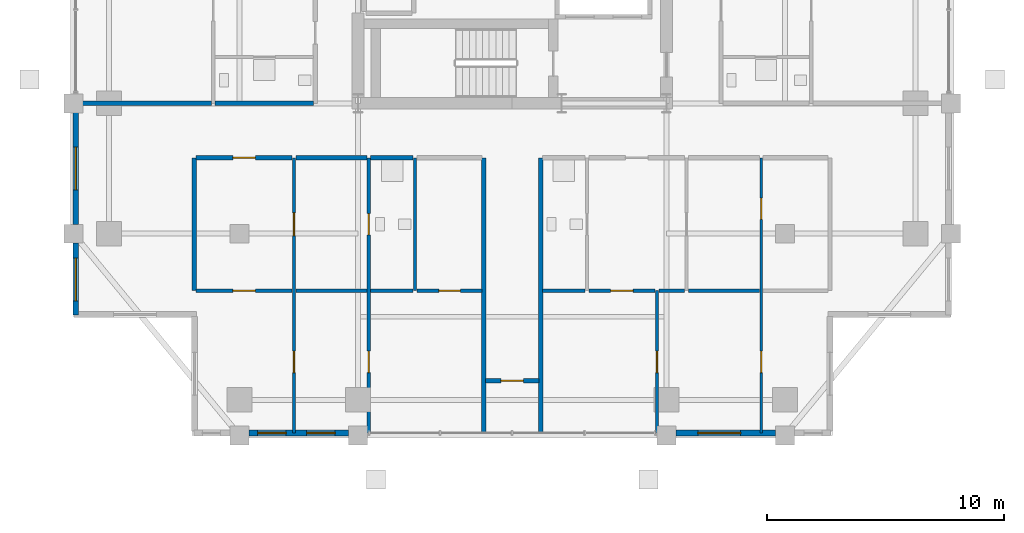
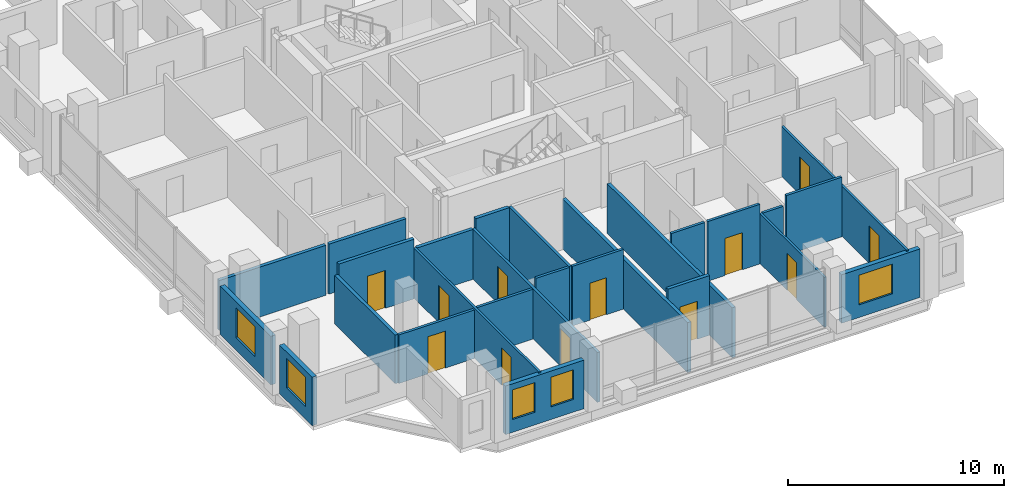
# One storey, part 18 of 24: 26 walls, 12 doors, 5 windows, 17 openings.
"""IFC4 building model written with IfcOpenShell, lengths in metres."""

from ifc_helpers import new_model, si_unit, direction, frame, frame_2d, origin, place, context, subcontext, project, spatial, rectangle, extrude, material, layer, layer_set, type_object, element, fill, save


model = new_model("IFC4")

# Units and contexts
model_context = context("Model", 3, precision=1e-05, world=origin(), true_north=direction((0.0, 1.0)))
body_context = subcontext(model_context, "Body", "Model", "MODEL_VIEW")
ifc_project = project(units=[si_unit("LENGTHUNIT", "METRE"), si_unit("AREAUNIT", "SQUARE_METRE"), si_unit("VOLUMEUNIT", "CUBIC_METRE"), si_unit("PLANEANGLEUNIT", "RADIAN"), si_unit("MASSUNIT", "GRAM", prefix="KILO")], contexts=[model_context])

# Site, building, storey
site_placement = place(None, origin())
site = spatial("IfcSite", under=ifc_project, at=site_placement, CompositionType="ELEMENT")
building_placement = place(site_placement, origin())
building = spatial("IfcBuilding", under=site, at=building_placement, Name="Barlavira Tower and Art Museum", CompositionType="ELEMENT")
storey_placement = place(building_placement, frame((0.0, 0.0, 169.199951171875)))
storey = spatial("IfcBuildingStorey", under=building, at=storey_placement, Name="L43", CompositionType="ELEMENT", Elevation=169.199951171875)

# Wall, openings, doors
ifc_material_1 = material(Name="Gypsum acoustic stud partition", Category="gypsum")
ifc_layer_1 = layer(ifc_material_1, 0.1201171875, Name="Gypsum acoustic stud partition")
ifc_layer_set_1 = layer_set([ifc_layer_1], Name="Gypsum acoustic stud partition")
wall_type_1 = type_object("IfcWallType", Name="Apartment Internal Acoustic Partition 120", PredefinedType="PARTITIONING", material=ifc_layer_set_1)
wall_1_placement = place(storey_placement, frame((-9.199951171875, -21.39990234375, 0.0), z_axis=(0.0, 0.0, 1.0), x_axis=(0.0, 1.0, 0.0)))
wall_1 = element("IfcWall", 1, at=wall_1_placement, inside=storey, type_object=wall_type_1, Name="L43 Partition Wall 4", PredefinedType="PARTITIONING", context=body_context, shape_type="SweptSolid", body=[
    extrude(rectangle(XDim=11.599853515625, YDim=0.1201171875, at=frame_2d((5.7998046875, 0.0))), origin(), (0.0, 0.0, 1.0), 2.825927734375),
])
opening_1_placement = place(wall_1_placement, frame((8.324951171875, 0.0, 0.0)))
opening_1 = element("IfcOpeningElement", 2, at=opening_1_placement, cuts=wall_1, Name="Opening D-02", PredefinedType="OPENING", context=body_context, shape_type="SweptSolid", body=[
    extrude(rectangle(XDim=0.949951171875, YDim=2.10009765625, at=frame_2d((0.47509765625, 1.050048828125))), frame((0.0, 0.070068359375, 0.0), z_axis=(0.0, -1.0, 0.0), x_axis=(1.0, 0.0, 0.0)), (0.0, 0.0, 1.0), 0.14013671875),
])
opening_2_placement = place(wall_1_placement, frame((2.550048828125, 0.0, 0.0)))
opening_2 = element("IfcOpeningElement", 3, at=opening_2_placement, cuts=wall_1, Name="Opening D-01", PredefinedType="OPENING", context=body_context, shape_type="SweptSolid", body=[
    extrude(rectangle(XDim=0.89990234375, YDim=2.10009765625, at=frame_2d((0.449951171875, 1.050048828125))), frame((0.0, 0.070068359375, 0.0), z_axis=(0.0, -1.0, 0.0), x_axis=(1.0, 0.0, 0.0)), (0.0, 0.0, 1.0), 0.14013671875),
])
ifc_material_2 = material(Name="Engineered coastal hardwood", Category="wood")
door_type_1 = type_object("IfcDoorType", Name="Internal Bedroom Timber Flush Door 900x2100", OperationType="NOTDEFINED", PredefinedType="DOOR", material=ifc_material_2)
door_1_placement = place(opening_2_placement, origin())
door_1 = element("IfcDoor", 4, at=door_1_placement, inside=storey, type_object=door_type_1, Name="Apartment SW1 Bedroom 1 Door", OperationType="SINGLE_SWING_LEFT", OverallHeight=2.10009765625, OverallWidth=0.89990234375, PredefinedType="DOOR", context=body_context, shape_type="SweptSolid", body=[
    extrude(rectangle(XDim=0.89990234375, YDim=2.10009765625, at=frame_2d((0.449951171875, 1.050048828125))), frame((0.0, 0.02490234375, 0.0), z_axis=(0.0, -1.0, 0.0), x_axis=(1.0, 0.0, 0.0)), (0.0, 0.0, 1.0), 0.050048828125),
])
fill(opening_2, door_1)
door_type_2 = type_object("IfcDoorType", Name="Living and Salon Glazed-Leaf Door 950x2100", OperationType="NOTDEFINED", PredefinedType="DOOR", material=ifc_material_2)
door_2_placement = place(opening_1_placement, origin())
door_2 = element("IfcDoor", 5, at=door_2_placement, inside=storey, type_object=door_type_2, Name="Apartment SW1 Kitchen Door", OperationType="SINGLE_SWING_LEFT", OverallHeight=2.10009765625, OverallWidth=0.949951171875, PredefinedType="DOOR", context=body_context, shape_type="SweptSolid", body=[
    extrude(rectangle(XDim=0.949951171875, YDim=2.10009765625, at=frame_2d((0.47509765625, 1.050048828125))), frame((0.0, 0.02490234375, 0.0), z_axis=(0.0, -1.0, 0.0), x_axis=(1.0, 0.0, 0.0)), (0.0, 0.0, 1.0), 0.050048828125),
])
fill(opening_1, door_2)

# Wall, opening, door
wall_2_placement = place(storey_placement, frame((6.10009765625, -21.39990234375, 0.0), z_axis=(0.0, 0.0, 1.0), x_axis=(0.0, 1.0, 0.0)))
wall_2 = element("IfcWall", 6, at=wall_2_placement, inside=storey, type_object=wall_type_1, Name="L43 Partition Wall 20", PredefinedType="PARTITIONING", context=body_context, shape_type="SweptSolid", body=[
    extrude(rectangle(XDim=6.0, YDim=0.1201171875, at=frame_2d((3.0, 0.0))), origin(), (0.0, 0.0, 1.0), 2.825927734375),
])
opening_3_placement = place(wall_2_placement, frame((2.550048828125, 0.0, 0.0)))
opening_3 = element("IfcOpeningElement", 7, at=opening_3_placement, cuts=wall_2, Name="Opening D-01", PredefinedType="OPENING", context=body_context, shape_type="SweptSolid", body=[
    extrude(rectangle(XDim=0.89990234375, YDim=2.10009765625, at=frame_2d((0.449951171875, 1.050048828125))), frame((0.0, 0.070068359375, 0.0), z_axis=(0.0, -1.0, 0.0), x_axis=(1.0, 0.0, 0.0)), (0.0, 0.0, 1.0), 0.14013671875),
])
door_3_placement = place(opening_3_placement, origin())
door_3 = element("IfcDoor", 8, at=door_3_placement, inside=storey, type_object=door_type_1, Name="Apartment SE1 Bedroom 1 Door", OperationType="SINGLE_SWING_RIGHT", OverallHeight=2.10009765625, OverallWidth=0.89990234375, PredefinedType="DOOR", context=body_context, shape_type="SweptSolid", body=[
    extrude(rectangle(XDim=0.89990234375, YDim=2.10009765625, at=frame_2d((0.449951171875, 1.050048828125))), frame((0.0, 0.02490234375, 0.0), z_axis=(0.0, -1.0, 0.0), x_axis=(1.0, 0.0, 0.0)), (0.0, 0.0, 1.0), 0.050048828125),
])
fill(opening_3, door_3)

# Wall, openings, doors
wall_3_placement = place(storey_placement, frame((10.5, -21.39990234375, 0.0), z_axis=(0.0, 0.0, 1.0), x_axis=(0.0, 1.0, 0.0)))
wall_3 = element("IfcWall", 9, at=wall_3_placement, inside=storey, type_object=wall_type_1, Name="L43 Partition Wall 24", PredefinedType="PARTITIONING", context=body_context, shape_type="SweptSolid", body=[
    extrude(rectangle(XDim=11.599853515625, YDim=0.1201171875, at=frame_2d((5.7998046875, 0.0))), origin(), (0.0, 0.0, 1.0), 2.825927734375),
])
opening_4_placement = place(wall_3_placement, frame((9.005859375, 0.0, 0.0)))
opening_4 = element("IfcOpeningElement", 10, at=opening_4_placement, cuts=wall_3, Name="Opening D-01", PredefinedType="OPENING", context=body_context, shape_type="SweptSolid", body=[
    extrude(rectangle(XDim=0.89990234375, YDim=2.10009765625, at=frame_2d((0.449951171875, 1.050048828125))), frame((0.0, 0.070068359375, 0.0), z_axis=(0.0, -1.0, 0.0), x_axis=(1.0, 0.0, 0.0)), (0.0, 0.0, 1.0), 0.14013671875),
])
opening_5_placement = place(wall_3_placement, frame((2.550048828125, 0.0, 0.0)))
opening_5 = element("IfcOpeningElement", 11, at=opening_5_placement, cuts=wall_3, Name="Opening D-01", PredefinedType="OPENING", context=body_context, shape_type="SweptSolid", body=[
    extrude(rectangle(XDim=0.89990234375, YDim=2.10009765625, at=frame_2d((0.449951171875, 1.050048828125))), frame((0.0, 0.070068359375, 0.0), z_axis=(0.0, -1.0, 0.0), x_axis=(1.0, 0.0, 0.0)), (0.0, 0.0, 1.0), 0.14013671875),
])
door_4_placement = place(opening_4_placement, origin())
door_4 = element("IfcDoor", 12, at=door_4_placement, inside=storey, type_object=door_type_1, Name="Apartment SE1 Walk-In Dressing Room Door", OperationType="SINGLE_SWING_RIGHT", OverallHeight=2.10009765625, OverallWidth=0.89990234375, PredefinedType="DOOR", context=body_context, shape_type="SweptSolid", body=[
    extrude(rectangle(XDim=0.89990234375, YDim=2.10009765625, at=frame_2d((0.449951171875, 1.050048828125))), frame((0.0, 0.02490234375, 0.0), z_axis=(0.0, -1.0, 0.0), x_axis=(1.0, 0.0, 0.0)), (0.0, 0.0, 1.0), 0.050048828125),
])
fill(opening_4, door_4)
door_5_placement = place(opening_5_placement, origin())
door_5 = element("IfcDoor", 13, at=door_5_placement, inside=storey, type_object=door_type_1, Name="Apartment SE1 Bedroom 2 Door", OperationType="SINGLE_SWING_LEFT", OverallHeight=2.10009765625, OverallWidth=0.89990234375, PredefinedType="DOOR", context=body_context, shape_type="SweptSolid", body=[
    extrude(rectangle(XDim=0.89990234375, YDim=2.10009765625, at=frame_2d((0.449951171875, 1.050048828125))), frame((0.0, 0.02490234375, 0.0), z_axis=(0.0, -1.0, 0.0), x_axis=(1.0, 0.0, 0.0)), (0.0, 0.0, 1.0), 0.050048828125),
])
fill(opening_5, door_5)

# Walls
ifc_layer_2 = layer(ifc_material_1, 0.179931640625, Name="Gypsum acoustic stud partition")
ifc_layer_set_2 = layer_set([ifc_layer_2], Name="Gypsum acoustic stud partition")
wall_type_2 = type_object("IfcWallType", Name="Inter-Tenancy Party Partition Wall 180", PredefinedType="PARTITIONING", material=ifc_layer_set_2)
wall_4_placement = place(storey_placement, frame((-13.39990234375, -15.39990234375, 0.0), z_axis=(0.0, 0.0, 1.0), x_axis=(0.0, 1.0, 0.0)))
element("IfcWall", 14, at=wall_4_placement, inside=storey, type_object=wall_type_2, Name="L43 Partition Wall 1", PredefinedType="PARTITIONING", context=body_context, shape_type="SweptSolid", body=[
    extrude(rectangle(XDim=5.599853515625, YDim=0.179931640625, at=frame_2d((2.7998046875, 0.0))), origin(), (0.0, 0.0, 1.0), 2.748046875),
])
for number, where, z_axis, x_axis, name in (
    (15, (-1.199951171875, -21.39990234375, 0.0), (0.0, 0.0, 1.0), (0.0, 1.0, 0.0), "L43 Partition Wall 13"),
    (16, (1.199951171875, -21.39990234375, 0.0), (0.0, 0.0, 1.0), (0.0, 1.0, 0.0), "L43 Partition Wall 15"),
):
    element("IfcWall", number, at=place(storey_placement, frame(where, z_axis=z_axis, x_axis=x_axis)), inside=storey, type_object=wall_type_2, Name=name, PredefinedType="PARTITIONING", context=body_context, shape_type="SweptSolid", body=[
        extrude(rectangle(XDim=11.599853515625, YDim=0.179931640625, at=frame_2d((5.7998046875, 0.0))), origin(), (0.0, 0.0, 1.0), 2.825927734375),
    ])

# Wall, opening, door
wall_5_placement = place(storey_placement, frame((-1.1201171875, -19.199951171875, 0.0), z_axis=(0.0, 0.0, 1.0), x_axis=(1.0, 0.0, 0.0)))
wall_5 = element("IfcWall", 17, at=wall_5_placement, inside=storey, type_object=wall_type_2, Name="L43 Partition Wall 29", PredefinedType="PARTITIONING", context=body_context, shape_type="SweptSolid", body=[
    extrude(rectangle(XDim=2.240234375, YDim=0.179931640625, at=frame_2d((1.1201171875, 0.0))), origin(), (0.0, 0.0, 1.0), 3.380126953125),
])
opening_6_placement = place(wall_5_placement, frame((0.64501953125, 0.0, 0.0)))
opening_6 = element("IfcOpeningElement", 18, at=opening_6_placement, cuts=wall_5, Name="Opening FD-60", PredefinedType="OPENING", context=body_context, shape_type="SweptSolid", body=[
    extrude(rectangle(XDim=0.949951171875, YDim=2.14990234375, at=frame_2d((0.47509765625, 1.074951171875))), frame((0.0, 0.10009765625, 0.0), z_axis=(0.0, -1.0, 0.0), x_axis=(1.0, 0.0, 0.0)), (0.0, 0.0, 1.0), 0.199951171875),
])
ifc_material_3 = material(Name="Brushed stainless steel", Category="steel")
door_type_3 = type_object("IfcDoorType", Name="Apartment Entrance and Riser Fire Door 950x2150 FD60S", OperationType="NOTDEFINED", PredefinedType="DOOR", material=ifc_material_3)
door_6_placement = place(opening_6_placement, origin())
door_6 = element("IfcDoor", 19, at=door_6_placement, inside=storey, type_object=door_type_3, Name="L43 South Horizon Reading Alcove Door", OperationType="SINGLE_SWING_LEFT", OverallHeight=2.14990234375, OverallWidth=0.949951171875, PredefinedType="DOOR", context=body_context, shape_type="SweptSolid", body=[
    extrude(rectangle(XDim=0.949951171875, YDim=2.14990234375, at=frame_2d((0.47509765625, 1.074951171875))), frame((0.0, 0.02490234375, 0.0), z_axis=(0.0, -1.0, 0.0), x_axis=(1.0, 0.0, 0.0)), (0.0, 0.0, 1.0), 0.050048828125),
])
fill(opening_6, door_6)

wall_6_placement = place(storey_placement, frame((-13.320068359375, -9.800048828125, 0.0), z_axis=(0.0, 0.0, 1.0), x_axis=(1.0, 0.0, 0.0)))
wall_6 = element("IfcWall", 20, at=wall_6_placement, inside=storey, type_object=wall_type_2, Name="L43 Partition Wall 39", PredefinedType="PARTITIONING", context=body_context, shape_type="SweptSolid", body=[
    extrude(rectangle(XDim=4.0400390625, YDim=0.179931640625, at=frame_2d((2.02001953125, 0.0))), origin(), (0.0, 0.0, 1.0), 3.380126953125),
])
opening_7_placement = place(wall_6_placement, frame((1.544921875, 0.0, 0.0)))
opening_7 = element("IfcOpeningElement", 21, at=opening_7_placement, cuts=wall_6, Name="Opening FD-60", PredefinedType="OPENING", context=body_context, shape_type="SweptSolid", body=[
    extrude(rectangle(XDim=0.949951171875, YDim=2.14990234375, at=frame_2d((0.47509765625, 1.074951171875))), frame((0.0, 0.10009765625, 0.0), z_axis=(0.0, -1.0, 0.0), x_axis=(1.0, 0.0, 0.0)), (0.0, 0.0, 1.0), 0.199951171875),
])
door_7_placement = place(opening_7_placement, origin())
door_7 = element("IfcDoor", 22, at=door_7_placement, inside=storey, type_object=door_type_3, Name="Apartment Entrance Hall SW1 Door", OperationType="SINGLE_SWING_RIGHT", OverallHeight=2.14990234375, OverallWidth=0.949951171875, PredefinedType="DOOR", context=body_context, shape_type="SweptSolid", body=[
    extrude(rectangle(XDim=0.949951171875, YDim=2.14990234375, at=frame_2d((0.47509765625, 1.074951171875))), frame((0.0, 0.02490234375, 0.0), z_axis=(0.0, -1.0, 0.0), x_axis=(1.0, 0.0, 0.0)), (0.0, 0.0, 1.0), 0.050048828125),
])
fill(opening_7, door_7)

# Walls
wall_7_placement = place(storey_placement, frame((-9.1201171875, -9.800048828125, 0.0), z_axis=(0.0, 0.0, 1.0), x_axis=(1.0, 0.0, 0.0)))
element("IfcWall", 23, at=wall_7_placement, inside=storey, type_object=wall_type_2, Name="L43 Partition Wall 40", PredefinedType="PARTITIONING", context=body_context, shape_type="SweptSolid", body=[
    extrude(rectangle(XDim=2.990234375, YDim=0.179931640625, at=frame_2d((1.4951171875, 0.0))), origin(), (0.0, 0.0, 1.0), 2.825927734375),
])
wall_8_placement = place(storey_placement, frame((-5.969970703125, -9.800048828125, 0.0), z_axis=(0.0, 0.0, 1.0), x_axis=(1.0, 0.0, 0.0)))
element("IfcWall", 24, at=wall_8_placement, inside=storey, type_object=wall_type_2, Name="L43 Partition Wall 41", PredefinedType="PARTITIONING", context=body_context, shape_type="SweptSolid", body=[
    extrude(rectangle(XDim=1.7900390625, YDim=0.179931640625, at=frame_2d((0.89501953125, 0.0))), origin(), (0.0, 0.0, 1.0), 3.380126953125),
])
wall_9_placement = place(storey_placement, frame((-18.39990234375, -7.5, 0.0), z_axis=(0.0, 0.0, 1.0), x_axis=(1.0, 0.0, 0.0)))
element("IfcWall", 25, at=wall_9_placement, inside=storey, type_object=wall_type_2, Name="L43 Partition Wall 47", PredefinedType="PARTITIONING", context=body_context, shape_type="SweptSolid", body=[
    extrude(rectangle(XDim=5.719970703125, YDim=0.179931640625, at=frame_2d((2.85986328125, 0.0))), origin(), (0.0, 0.0, 1.0), 2.825927734375),
])
wall_10_placement = place(storey_placement, frame((-12.52001953125, -7.5, 0.0), z_axis=(0.0, 0.0, 1.0), x_axis=(1.0, 0.0, 0.0)))
element("IfcWall", 26, at=wall_10_placement, inside=storey, type_object=wall_type_2, Name="L43 Partition Wall 48", PredefinedType="PARTITIONING", context=body_context, shape_type="SweptSolid", body=[
    extrude(rectangle(XDim=4.14013671875, YDim=0.179931640625, at=frame_2d((2.070068359375, 0.0))), origin(), (0.0, 0.0, 1.0), 2.825927734375),
])

# Wall, openings, doors
ifc_layer_3 = layer(ifc_material_1, 0.139892578125, Name="Gypsum acoustic stud partition")
ifc_layer_set_3 = layer_set([ifc_layer_3], Name="Gypsum acoustic stud partition")
wall_type_3 = type_object("IfcWallType", Name="Moisture-Resistant Bathroom Partition 140", PredefinedType="PARTITIONING", material=ifc_layer_set_3)
wall_11_placement = place(storey_placement, frame((-6.050048828125, -21.39990234375, 0.0), z_axis=(0.0, 0.0, 1.0), x_axis=(0.0, 1.0, 0.0)))
wall_11 = element("IfcWall", 27, at=wall_11_placement, inside=storey, type_object=wall_type_3, Name="L43 Partition Wall 8", PredefinedType="PARTITIONING", context=body_context, shape_type="SweptSolid", body=[
    extrude(rectangle(XDim=11.599853515625, YDim=0.139892578125, at=frame_2d((5.7998046875, 0.0))), origin(), (0.0, 0.0, 1.0), 2.825927734375),
])
opening_8_placement = place(wall_11_placement, frame((8.35009765625, 0.0, 0.0)))
opening_8 = element("IfcOpeningElement", 28, at=opening_8_placement, cuts=wall_11, Name="Opening D-WC", PredefinedType="OPENING", context=body_context, shape_type="SweptSolid", body=[
    extrude(rectangle(XDim=0.89990234375, YDim=2.10009765625, at=frame_2d((0.449951171875, 1.050048828125))), frame((0.0, 0.080078125, 0.0), z_axis=(0.0, -1.0, 0.0), x_axis=(1.0, 0.0, 0.0)), (0.0, 0.0, 1.0), 0.159912109375),
])
opening_9_placement = place(wall_11_placement, frame((2.550048828125, 0.0, 0.0)))
opening_9 = element("IfcOpeningElement", 29, at=opening_9_placement, cuts=wall_11, Name="Opening D-01", PredefinedType="OPENING", context=body_context, shape_type="SweptSolid", body=[
    extrude(rectangle(XDim=0.89990234375, YDim=2.10009765625, at=frame_2d((0.449951171875, 1.050048828125))), frame((0.0, 0.080078125, 0.0), z_axis=(0.0, -1.0, 0.0), x_axis=(1.0, 0.0, 0.0)), (0.0, 0.0, 1.0), 0.159912109375),
])
door_type_4 = type_object("IfcDoorType", Name="Accessible Bathroom Flush Door 900x2100", OperationType="NOTDEFINED", PredefinedType="DOOR", material=ifc_material_2)
door_8_placement = place(opening_8_placement, origin())
door_8 = element("IfcDoor", 30, at=door_8_placement, inside=storey, type_object=door_type_4, Name="Apartment SW1 Hall Bathroom Door", OperationType="SINGLE_SWING_RIGHT", OverallHeight=2.10009765625, OverallWidth=0.89990234375, PredefinedType="DOOR", context=body_context, shape_type="SweptSolid", body=[
    extrude(rectangle(XDim=0.89990234375, YDim=2.10009765625, at=frame_2d((0.449951171875, 1.050048828125))), frame((0.0, 0.02490234375, 0.0), z_axis=(0.0, -1.0, 0.0), x_axis=(1.0, 0.0, 0.0)), (0.0, 0.0, 1.0), 0.050048828125),
])
fill(opening_8, door_8)
door_9_placement = place(opening_9_placement, origin())
door_9 = element("IfcDoor", 31, at=door_9_placement, inside=storey, type_object=door_type_1, Name="Apartment SW1 Bedroom 2 Door", OperationType="SINGLE_SWING_RIGHT", OverallHeight=2.10009765625, OverallWidth=0.89990234375, PredefinedType="DOOR", context=body_context, shape_type="SweptSolid", body=[
    extrude(rectangle(XDim=0.89990234375, YDim=2.10009765625, at=frame_2d((0.449951171875, 1.050048828125))), frame((0.0, 0.02490234375, 0.0), z_axis=(0.0, -1.0, 0.0), x_axis=(1.0, 0.0, 0.0)), (0.0, 0.0, 1.0), 0.050048828125),
])
fill(opening_9, door_9)

# Wall
wall_12_placement = place(storey_placement, frame((-4.10009765625, -15.39990234375, 0.0), z_axis=(0.0, 0.0, 1.0), x_axis=(0.0, 1.0, 0.0)))
element("IfcWall", 32, at=wall_12_placement, inside=storey, type_object=wall_type_3, Name="L43 Partition Wall 11", PredefinedType="PARTITIONING", context=body_context, shape_type="SweptSolid", body=[
    extrude(rectangle(XDim=5.599853515625, YDim=0.139892578125, at=frame_2d((2.7998046875, 0.0))), origin(), (0.0, 0.0, 1.0), 3.380126953125),
])

# Wall, opening, door
wall_13_placement = place(storey_placement, frame((-13.320068359375, -15.39990234375, 0.0), z_axis=(0.0, 0.0, 1.0), x_axis=(1.0, 0.0, 0.0)))
wall_13 = element("IfcWall", 33, at=wall_13_placement, inside=storey, type_object=wall_type_3, Name="L43 Partition Wall 30", PredefinedType="PARTITIONING", context=body_context, shape_type="SweptSolid", body=[
    extrude(rectangle(XDim=4.0400390625, YDim=0.139892578125, at=frame_2d((2.02001953125, 0.0))), origin(), (0.0, 0.0, 1.0), 2.748046875),
])
opening_10_placement = place(wall_13_placement, frame((1.544921875, 0.0, 0.0)))
opening_10 = element("IfcOpeningElement", 34, at=opening_10_placement, cuts=wall_13, Name="Opening D-02", PredefinedType="OPENING", context=body_context, shape_type="SweptSolid", body=[
    extrude(rectangle(XDim=0.949951171875, YDim=2.10009765625, at=frame_2d((0.47509765625, 1.050048828125))), frame((0.0, 0.080078125, 0.0), z_axis=(0.0, -1.0, 0.0), x_axis=(1.0, 0.0, 0.0)), (0.0, 0.0, 1.0), 0.159912109375),
])
door_10_placement = place(opening_10_placement, origin())
door_10 = element("IfcDoor", 35, at=door_10_placement, inside=storey, type_object=door_type_2, Name="Apartment SW1 Living Lounge Door", OperationType="SINGLE_SWING_RIGHT", OverallHeight=2.10009765625, OverallWidth=0.949951171875, PredefinedType="DOOR", context=body_context, shape_type="SweptSolid", body=[
    extrude(rectangle(XDim=0.949951171875, YDim=2.10009765625, at=frame_2d((0.47509765625, 1.050048828125))), frame((0.0, 0.02490234375, 0.0), z_axis=(0.0, -1.0, 0.0), x_axis=(1.0, 0.0, 0.0)), (0.0, 0.0, 1.0), 0.050048828125),
])
fill(opening_10, door_10)

# Walls
wall_14_placement = place(storey_placement, frame((-9.1201171875, -15.39990234375, 0.0), z_axis=(0.0, 0.0, 1.0), x_axis=(1.0, 0.0, 0.0)))
element("IfcWall", 36, at=wall_14_placement, inside=storey, type_object=wall_type_3, Name="L43 Partition Wall 31", PredefinedType="PARTITIONING", context=body_context, shape_type="SweptSolid", body=[
    extrude(rectangle(XDim=2.990234375, YDim=0.139892578125, at=frame_2d((1.4951171875, 0.0))), origin(), (0.0, 0.0, 1.0), 2.825927734375),
])
wall_15_placement = place(storey_placement, frame((-5.969970703125, -15.39990234375, 0.0), z_axis=(0.0, 0.0, 1.0), x_axis=(1.0, 0.0, 0.0)))
element("IfcWall", 37, at=wall_15_placement, inside=storey, type_object=wall_type_3, Name="L43 Partition Wall 32", PredefinedType="PARTITIONING", context=body_context, shape_type="SweptSolid", body=[
    extrude(rectangle(XDim=1.7900390625, YDim=0.139892578125, at=frame_2d((0.89501953125, 0.0))), origin(), (0.0, 0.0, 1.0), 3.380126953125),
])

# Wall, opening, door
wall_16_placement = place(storey_placement, frame((-4.02001953125, -15.39990234375, 0.0), z_axis=(0.0, 0.0, 1.0), x_axis=(1.0, 0.0, 0.0)))
wall_16 = element("IfcWall", 38, at=wall_16_placement, inside=storey, type_object=wall_type_3, Name="L43 Partition Wall 33", PredefinedType="PARTITIONING", context=body_context, shape_type="SweptSolid", body=[
    extrude(rectangle(XDim=2.739990234375, YDim=0.139892578125, at=frame_2d((1.3701171875, 0.0))), origin(), (0.0, 0.0, 1.0), 3.380126953125),
])
opening_11_placement = place(wall_16_placement, frame((0.929931640625, 0.0, 0.0)))
opening_11 = element("IfcOpeningElement", 39, at=opening_11_placement, cuts=wall_16, Name="Opening D-01", PredefinedType="OPENING", context=body_context, shape_type="SweptSolid", body=[
    extrude(rectangle(XDim=0.89990234375, YDim=2.10009765625, at=frame_2d((0.449951171875, 1.050048828125))), frame((0.0, 0.080078125, 0.0), z_axis=(0.0, -1.0, 0.0), x_axis=(1.0, 0.0, 0.0)), (0.0, 0.0, 1.0), 0.159912109375),
])
door_11_placement = place(opening_11_placement, origin())
door_11 = element("IfcDoor", 40, at=door_11_placement, inside=storey, type_object=door_type_1, Name="Apartment SW1 Walk-In Dressing Room Door", OperationType="SINGLE_SWING_LEFT", OverallHeight=2.10009765625, OverallWidth=0.89990234375, PredefinedType="DOOR", context=body_context, shape_type="SweptSolid", body=[
    extrude(rectangle(XDim=0.89990234375, YDim=2.10009765625, at=frame_2d((0.449951171875, 1.050048828125))), frame((0.0, 0.02490234375, 0.0), z_axis=(0.0, -1.0, 0.0), x_axis=(1.0, 0.0, 0.0)), (0.0, 0.0, 1.0), 0.050048828125),
])
fill(opening_11, door_11)

# Wall
wall_17_placement = place(storey_placement, frame((1.280029296875, -15.39990234375, 0.0), z_axis=(0.0, 0.0, 1.0), x_axis=(1.0, 0.0, 0.0)))
element("IfcWall", 41, at=wall_17_placement, inside=storey, type_object=wall_type_3, Name="L43 Partition Wall 34", PredefinedType="PARTITIONING", context=body_context, shape_type="SweptSolid", body=[
    extrude(rectangle(XDim=1.7900390625, YDim=0.139892578125, at=frame_2d((0.89501953125, 0.0))), origin(), (0.0, 0.0, 1.0), 3.380126953125),
])

# Wall, opening, door
wall_18_placement = place(storey_placement, frame((3.22998046875, -15.39990234375, 0.0), z_axis=(0.0, 0.0, 1.0), x_axis=(1.0, 0.0, 0.0)))
wall_18 = element("IfcWall", 42, at=wall_18_placement, inside=storey, type_object=wall_type_3, Name="L43 Partition Wall 35", PredefinedType="PARTITIONING", context=body_context, shape_type="SweptSolid", body=[
    extrude(rectangle(XDim=2.7900390625, YDim=0.139892578125, at=frame_2d((1.39501953125, 0.0))), origin(), (0.0, 0.0, 1.0), 3.380126953125),
])
opening_12_placement = place(wall_18_placement, frame((0.9150390625, 0.0, 0.0)))
opening_12 = element("IfcOpeningElement", 43, at=opening_12_placement, cuts=wall_18, Name="Opening D-02", PredefinedType="OPENING", context=body_context, shape_type="SweptSolid", body=[
    extrude(rectangle(XDim=0.949951171875, YDim=2.10009765625, at=frame_2d((0.47509765625, 1.050048828125))), frame((0.0, 0.080078125, 0.0), z_axis=(0.0, -1.0, 0.0), x_axis=(1.0, 0.0, 0.0)), (0.0, 0.0, 1.0), 0.159912109375),
])
door_12_placement = place(opening_12_placement, origin())
door_12 = element("IfcDoor", 44, at=door_12_placement, inside=storey, type_object=door_type_2, Name="Apartment SE1 Living Lounge Door", OperationType="SINGLE_SWING_LEFT", OverallHeight=2.10009765625, OverallWidth=0.949951171875, PredefinedType="DOOR", context=body_context, shape_type="SweptSolid", body=[
    extrude(rectangle(XDim=0.949951171875, YDim=2.10009765625, at=frame_2d((0.47509765625, 1.050048828125))), frame((0.0, 0.02490234375, 0.0), z_axis=(0.0, -1.0, 0.0), x_axis=(1.0, 0.0, 0.0)), (0.0, 0.0, 1.0), 0.050048828125),
])
fill(opening_12, door_12)

# Walls
wall_19_placement = place(storey_placement, frame((6.179931640625, -15.39990234375, 0.0), z_axis=(0.0, 0.0, 1.0), x_axis=(1.0, 0.0, 0.0)))
element("IfcWall", 45, at=wall_19_placement, inside=storey, type_object=wall_type_3, Name="L43 Partition Wall 36", PredefinedType="PARTITIONING", context=body_context, shape_type="SweptSolid", body=[
    extrude(rectangle(XDim=1.090087890625, YDim=0.139892578125, at=frame_2d((0.544921875, 0.0))), origin(), (0.0, 0.0, 1.0), 2.825927734375),
])
wall_20_placement = place(storey_placement, frame((7.429931640625, -15.39990234375, 0.0), z_axis=(0.0, 0.0, 1.0), x_axis=(1.0, 0.0, 0.0)))
element("IfcWall", 46, at=wall_20_placement, inside=storey, type_object=wall_type_3, Name="L43 Partition Wall 37", PredefinedType="PARTITIONING", context=body_context, shape_type="SweptSolid", body=[
    extrude(rectangle(XDim=2.989990234375, YDim=0.139892578125, at=frame_2d((1.4951171875, 0.0))), origin(), (0.0, 0.0, 1.0), 3.380126953125),
])

# Wall, openings, windows
ifc_material_4 = material(Name="Precast concrete C40", Category="concrete")
ifc_layer_4 = layer(ifc_material_4, 0.25, Name="Precast concrete C40")
ifc_layer_set_4 = layer_set([ifc_layer_4], Name="Precast concrete C40")
wall_type_4 = type_object("IfcWallType", Name="Notched Corner Spandrel Wall 250 Precast Concrete C40", PredefinedType="SOLIDWALL", material=ifc_layer_set_4)
wall_21_placement = place(storey_placement, frame((-11.10498046875, -21.39990234375, 0.0), z_axis=(0.0, 0.0, 1.0), x_axis=(1.0, 0.0, 0.0)))
wall_21 = element("IfcWall", 47, at=wall_21_placement, inside=storey, type_object=wall_type_4, Name="L43 Coastal Facade Pier Wall CW3-L43-S-2", PredefinedType="SOLIDWALL", context=body_context, shape_type="SweptSolid", body=[
    extrude(rectangle(XDim=4.2099609375, YDim=0.25, at=frame_2d((2.10498046875, 0.0))), origin(), (0.0, 0.0, 1.0), 2.748046875),
])
opening_13_placement = place(wall_21_placement, frame((0.375, 0.0, 0.719970703125)))
opening_13 = element("IfcOpeningElement", 48, at=opening_13_placement, cuts=wall_21, Name="Opening WN-05", PredefinedType="OPENING", context=body_context, shape_type="SweptSolid", body=[
    extrude(rectangle(XDim=1.199951171875, YDim=1.679931640625, at=frame_2d((0.60009765625, 0.83984375))), frame((0.0, 0.135009765625, 0.0), z_axis=(0.0, -1.0, 0.0), x_axis=(1.0, 0.0, 0.0)), (0.0, 0.0, 1.0), 0.27001953125),
])
opening_14_placement = place(wall_21_placement, frame((2.43505859375, 0.0, 0.719970703125)))
opening_14 = element("IfcOpeningElement", 49, at=opening_14_placement, cuts=wall_21, Name="Opening WN-05", PredefinedType="OPENING", context=body_context, shape_type="SweptSolid", body=[
    extrude(rectangle(XDim=1.199951171875, YDim=1.679931640625, at=frame_2d((0.60009765625, 0.83984375))), frame((0.0, 0.135009765625, 0.0), z_axis=(0.0, -1.0, 0.0), x_axis=(1.0, 0.0, 0.0)), (0.0, 0.0, 1.0), 0.27001953125),
])
ifc_material_5 = material(Name="Low-iron coastal laminated glass", Category="glass")
window_type_1 = type_object("IfcWindowType", Name="Recessed Flank Pier Punch Window 1200x1680", PartitioningType="SINGLE_PANEL", PredefinedType="WINDOW", material=ifc_material_5)
window_1_placement = place(opening_13_placement, origin())
window_1 = element("IfcWindow", 50, at=window_1_placement, inside=storey, type_object=window_type_1, Name="L43 Punched Facade Window EWP-CW3-L43-S-2-1", OverallHeight=1.679931640625, OverallWidth=1.199951171875, PartitioningType="SINGLE_PANEL", PredefinedType="WINDOW", context=body_context, shape_type="SweptSolid", body=[
    extrude(rectangle(XDim=1.199951171875, YDim=1.679931640625, at=frame_2d((0.60009765625, 0.83984375))), frame((0.0, 0.030029296875, 0.0), z_axis=(0.0, -1.0, 0.0), x_axis=(1.0, 0.0, 0.0)), (0.0, 0.0, 1.0), 0.06005859375),
])
fill(opening_13, window_1)
window_2_placement = place(opening_14_placement, origin())
window_2 = element("IfcWindow", 51, at=window_2_placement, inside=storey, type_object=window_type_1, Name="L43 Punched Facade Window EWP-CW3-L43-S-2-2", OverallHeight=1.679931640625, OverallWidth=1.199951171875, PartitioningType="SINGLE_PANEL", PredefinedType="WINDOW", context=body_context, shape_type="SweptSolid", body=[
    extrude(rectangle(XDim=1.199951171875, YDim=1.679931640625, at=frame_2d((0.60009765625, 0.83984375))), frame((0.0, 0.030029296875, 0.0), z_axis=(0.0, -1.0, 0.0), x_axis=(1.0, 0.0, 0.0)), (0.0, 0.0, 1.0), 0.06005859375),
])
fill(opening_14, window_2)

# Wall, opening, window
wall_22_placement = place(storey_placement, frame((6.89501953125, -21.39990234375, 0.0), z_axis=(0.0, 0.0, 1.0), x_axis=(1.0, 0.0, 0.0)))
wall_22 = element("IfcWall", 52, at=wall_22_placement, inside=storey, type_object=wall_type_4, Name="L43 Coastal Facade Pier Wall CW3-L43-S-4", PredefinedType="SOLIDWALL", context=body_context, shape_type="SweptSolid", body=[
    extrude(rectangle(XDim=4.2099609375, YDim=0.25, at=frame_2d((2.10498046875, 0.0))), origin(), (0.0, 0.0, 1.0), 2.748046875),
])
opening_15_placement = place(wall_22_placement, frame((0.93505859375, 0.0, 0.719970703125)))
opening_15 = element("IfcOpeningElement", 53, at=opening_15_placement, cuts=wall_22, Name="Opening WN-01", PredefinedType="OPENING", context=body_context, shape_type="SweptSolid", body=[
    extrude(rectangle(XDim=1.800048828125, YDim=1.679931640625, at=frame_2d((0.89990234375, 0.83984375))), frame((0.0, 0.135009765625, 0.0), z_axis=(0.0, -1.0, 0.0), x_axis=(1.0, 0.0, 0.0)), (0.0, 0.0, 1.0), 0.27001953125),
])
window_type_2 = type_object("IfcWindowType", Name="Recessed Notch Corner Punch Window 1800x1680", PartitioningType="SINGLE_PANEL", PredefinedType="WINDOW", material=ifc_material_5)
window_3_placement = place(opening_15_placement, origin())
window_3 = element("IfcWindow", 54, at=window_3_placement, inside=storey, type_object=window_type_2, Name="L43 Punched Facade Window EWP-CW3-L43-S-4-1", OverallHeight=1.679931640625, OverallWidth=1.800048828125, PartitioningType="SINGLE_PANEL", PredefinedType="WINDOW", context=body_context, shape_type="SweptSolid", body=[
    extrude(rectangle(XDim=1.800048828125, YDim=1.679931640625, at=frame_2d((0.89990234375, 0.83984375))), frame((0.0, 0.030029296875, 0.0), z_axis=(0.0, -1.0, 0.0), x_axis=(1.0, 0.0, 0.0)), (0.0, 0.0, 1.0), 0.06005859375),
])
fill(opening_15, window_3)

wall_23_placement = place(storey_placement, frame((-18.39990234375, -7.89501953125, 0.0), z_axis=(0.0, 0.0, 1.0), x_axis=(0.0, -1.0, 0.0)))
wall_23 = element("IfcWall", 55, at=wall_23_placement, inside=storey, type_object=wall_type_4, Name="L43 Coastal Facade Pier Wall CW3-L43-W-4", PredefinedType="SOLIDWALL", context=body_context, shape_type="SweptSolid", body=[
    extrude(rectangle(XDim=4.7099609375, YDim=0.25, at=frame_2d((2.35498046875, 0.0))), origin(), (0.0, 0.0, 1.0), 2.748046875),
])
opening_16_placement = place(wall_23_placement, frame((1.455078125, 0.0, 0.719970703125)))
opening_16 = element("IfcOpeningElement", 56, at=opening_16_placement, cuts=wall_23, Name="Opening WN-01", PredefinedType="OPENING", context=body_context, shape_type="SweptSolid", body=[
    extrude(rectangle(XDim=1.800048828125, YDim=1.679931640625, at=frame_2d((0.89990234375, 0.83984375))), frame((0.0, 0.135009765625, 0.0), z_axis=(0.0, -1.0, 0.0), x_axis=(1.0, 0.0, 0.0)), (0.0, 0.0, 1.0), 0.27001953125),
])
window_4_placement = place(opening_16_placement, origin())
window_4 = element("IfcWindow", 57, at=window_4_placement, inside=storey, type_object=window_type_2, Name="L43 Punched Facade Window EWP-CW3-L43-W-4-1", OverallHeight=1.679931640625, OverallWidth=1.800048828125, PartitioningType="SINGLE_PANEL", PredefinedType="WINDOW", context=body_context, shape_type="SweptSolid", body=[
    extrude(rectangle(XDim=1.800048828125, YDim=1.679931640625, at=frame_2d((0.89990234375, 0.83984375))), frame((0.0, 0.030029296875, 0.0), z_axis=(0.0, -1.0, 0.0), x_axis=(1.0, 0.0, 0.0)), (0.0, 0.0, 1.0), 0.06005859375),
])
fill(opening_16, window_4)

wall_24_placement = place(storey_placement, frame((-18.39990234375, -13.39501953125, 0.0), z_axis=(0.0, 0.0, 1.0), x_axis=(0.0, -1.0, 0.0)))
wall_24 = element("IfcWall", 58, at=wall_24_placement, inside=storey, type_object=wall_type_4, Name="L43 Coastal Facade Pier Wall CW3-L43-W-5", PredefinedType="SOLIDWALL", context=body_context, shape_type="SweptSolid", body=[
    extrude(rectangle(XDim=3.030029296875, YDim=0.25, at=frame_2d((1.51513671875, 0.0))), origin(), (0.0, 0.0, 1.0), 2.748046875),
])
opening_17_placement = place(wall_24_placement, frame((0.637939453125, 0.0, 0.719970703125)))
opening_17 = element("IfcOpeningElement", 59, at=opening_17_placement, cuts=wall_24, Name="Opening WN-01", PredefinedType="OPENING", context=body_context, shape_type="SweptSolid", body=[
    extrude(rectangle(XDim=1.800048828125, YDim=1.679931640625, at=frame_2d((0.89990234375, 0.83984375))), frame((0.0, 0.135009765625, 0.0), z_axis=(0.0, -1.0, 0.0), x_axis=(1.0, 0.0, 0.0)), (0.0, 0.0, 1.0), 0.27001953125),
])
window_5_placement = place(opening_17_placement, origin())
window_5 = element("IfcWindow", 60, at=window_5_placement, inside=storey, type_object=window_type_2, Name="L43 Punched Facade Window EWP-CW3-L43-W-5-1", OverallHeight=1.679931640625, OverallWidth=1.800048828125, PartitioningType="SINGLE_PANEL", PredefinedType="WINDOW", context=body_context, shape_type="SweptSolid", body=[
    extrude(rectangle(XDim=1.800048828125, YDim=1.679931640625, at=frame_2d((0.89990234375, 0.83984375))), frame((0.0, 0.030029296875, 0.0), z_axis=(0.0, -1.0, 0.0), x_axis=(1.0, 0.0, 0.0)), (0.0, 0.0, 1.0), 0.06005859375),
])
fill(opening_17, window_5)

save(model, "model.ifc")
